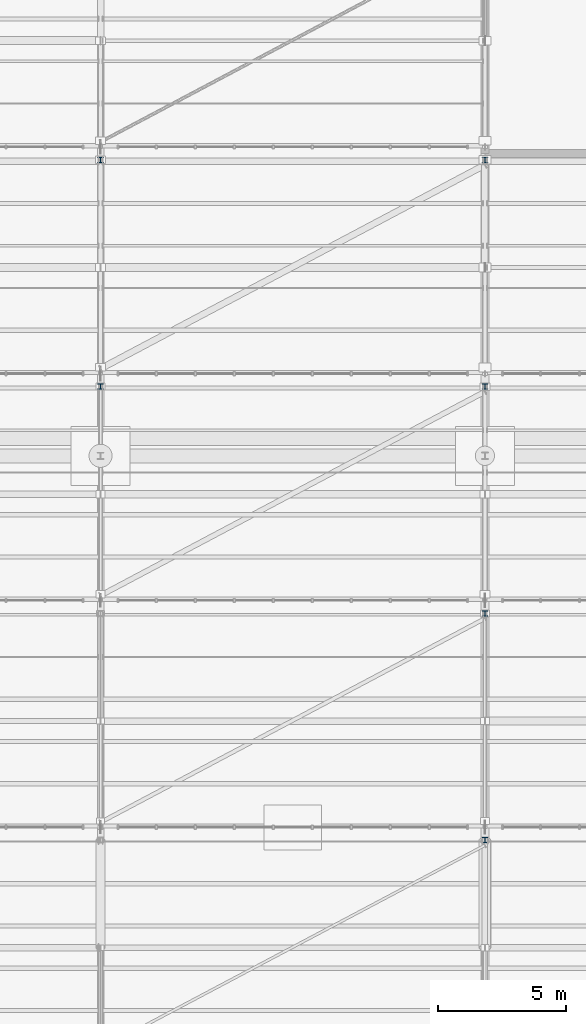
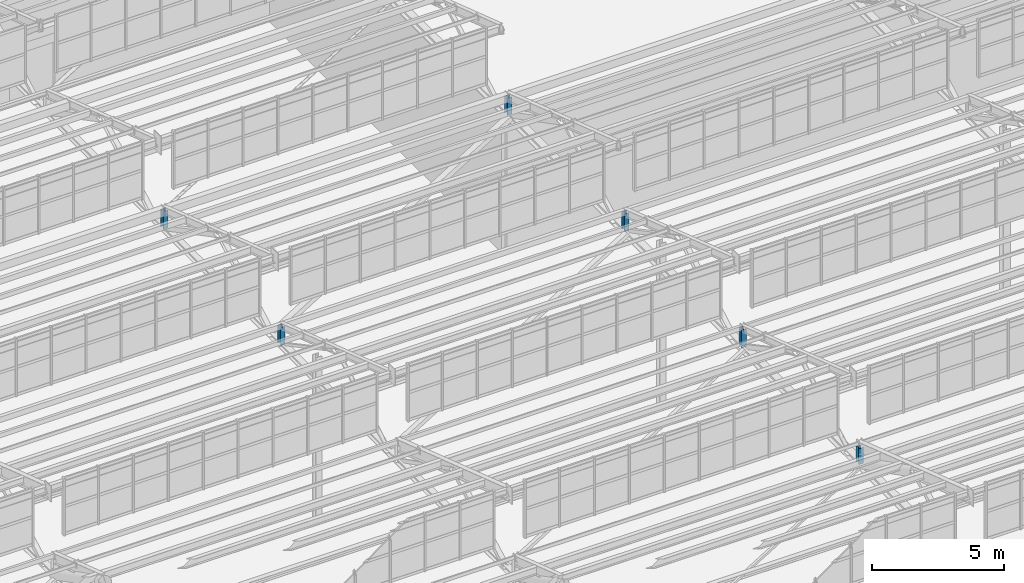
# One storey, part 148 of 285: 6 members.
"""IFC4 building model written with IfcOpenShell, lengths in metres."""

from ifc_helpers import new_model, si_unit, direction, frame, origin, origin_2d, place, context, subcontext, project, spatial, i_section, extrude, material, material_profile, profile_set, type_object, element, save


model = new_model("IFC4")

# Units and contexts
model_context = context("Model", 3, precision=1e-05, world=origin(), true_north=direction((0.0, 1.0)))
body_context = subcontext(model_context, "Body", "Model", "MODEL_VIEW")
ifc_project = project(units=[si_unit("LENGTHUNIT", "METRE"), si_unit("AREAUNIT", "SQUARE_METRE"), si_unit("VOLUMEUNIT", "CUBIC_METRE"), si_unit("PLANEANGLEUNIT", "RADIAN"), si_unit("MASSUNIT", "GRAM", prefix="KILO")], contexts=[model_context])

# Site, building, storey
site_placement = place(None, origin())
site = spatial("IfcSite", under=ifc_project, at=site_placement, CompositionType="ELEMENT")
building_placement = place(site_placement, origin())
building = spatial("IfcBuilding", under=site, at=building_placement, Name="Solanera Park Tramway Depot", CompositionType="ELEMENT")
storey_placement = place(building_placement, origin())
storey = spatial("IfcBuildingStorey", under=building, at=storey_placement, Name="L00", CompositionType="ELEMENT", Elevation=0.0)

# Members
ifc_material = material(Name="Steel AS/NZS 3679.1 Grade 350", Category="steel")
ifc_material_profile = material_profile(ifc_material, i_section(OverallWidth=0.205078125, OverallDepth=0.209716796875, WebThickness=0.00927734375, FlangeThickness=0.01416015625, at=origin_2d()), Name="200UC59.5")
ifc_profile_set = profile_set([ifc_material_profile], Name="Steel AS/NZS 3679.1 Grade 350")
member_type = type_object("IfcMemberType", Name="Roof Gantry Compression Strut 200UC59.5", PredefinedType="STRUT", material=ifc_profile_set)
member_1_placement = place(storey_placement, frame((60.0, 99.5, 6.5), z_axis=(0.0, 0.0, 1.0), x_axis=(1.0, 0.0, 0.0)))
element("IfcMember", 1, at=member_1_placement, inside=storey, type_object=member_type, Name="Sawtooth ROOF TRUSS Valley Post 200UC59.5 #0045", PredefinedType="STRUT", context=body_context, shape_type="SweptSolid", body=[
    extrude(i_section(OverallWidth=0.205078125, OverallDepth=0.209716796875, WebThickness=0.00927734375, FlangeThickness=0.01416015625, at=origin_2d()), origin(), (0.0, 0.0, 1.0), 0.724365234375),
])
for number, where, z_axis, x_axis, name in (
    (2, (60.0, 108.35009765625, 6.5), (0.0, 0.0, 1.0), (1.0, 0.0, 0.0), "Sawtooth ROOF TRUSS Valley Post 200UC59.5 #0056"),
    (3, (45.0, 117.199951171875, 6.5), (0.0, 0.0, 1.0), (1.0, 0.0, 0.0), "Sawtooth ROOF TRUSS Valley Post 200UC59.5 #0066"),
):
    element("IfcMember", number, at=place(storey_placement, frame(where, z_axis=z_axis, x_axis=x_axis)), inside=storey, type_object=member_type, Name=name, PredefinedType="STRUT", context=body_context, shape_type="SweptSolid", body=[
        extrude(i_section(OverallWidth=0.205078125, OverallDepth=0.209716796875, WebThickness=0.00927734375, FlangeThickness=0.01416015625, at=origin_2d()), origin(), (0.0, 0.0, 1.0), 0.83740234375),
    ])
for number, where, z_axis, x_axis, name in (
    (4, (60.0, 117.199951171875, 6.5), (0.0, 0.0, 1.0), (1.0, 0.0, 0.0), "Sawtooth ROOF TRUSS Valley Post 200UC59.5 #0067"),
    (5, (45.0, 126.050048828125, 6.5), (0.0, 0.0, 1.0), (1.0, 0.0, 0.0), "Sawtooth ROOF TRUSS Valley Post 200UC59.5 #0077"),
):
    element("IfcMember", number, at=place(storey_placement, frame(where, z_axis=z_axis, x_axis=x_axis)), inside=storey, type_object=member_type, Name=name, PredefinedType="STRUT", context=body_context, shape_type="SweptSolid", body=[
        extrude(i_section(OverallWidth=0.205078125, OverallDepth=0.209716796875, WebThickness=0.00927734375, FlangeThickness=0.01416015625, at=origin_2d()), origin(), (0.0, 0.0, 1.0), 0.81298828125),
    ])
member_2_placement = place(storey_placement, frame((60.0, 126.050048828125, 6.5), z_axis=(0.0, 0.0, 1.0), x_axis=(1.0, 0.0, 0.0)))
element("IfcMember", 6, at=member_2_placement, inside=storey, type_object=member_type, Name="Sawtooth ROOF TRUSS Valley Post 200UC59.5 #0078", PredefinedType="STRUT", context=body_context, shape_type="SweptSolid", body=[
    extrude(i_section(OverallWidth=0.205078125, OverallDepth=0.209716796875, WebThickness=0.00927734375, FlangeThickness=0.01416015625, at=origin_2d()), origin(), (0.0, 0.0, 1.0), 0.78759765625),
])

save(model, "model.ifc")
